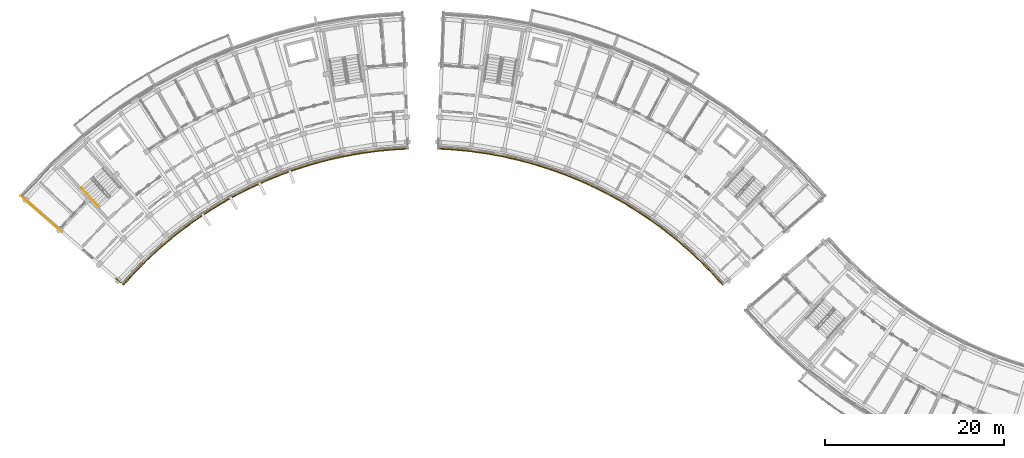
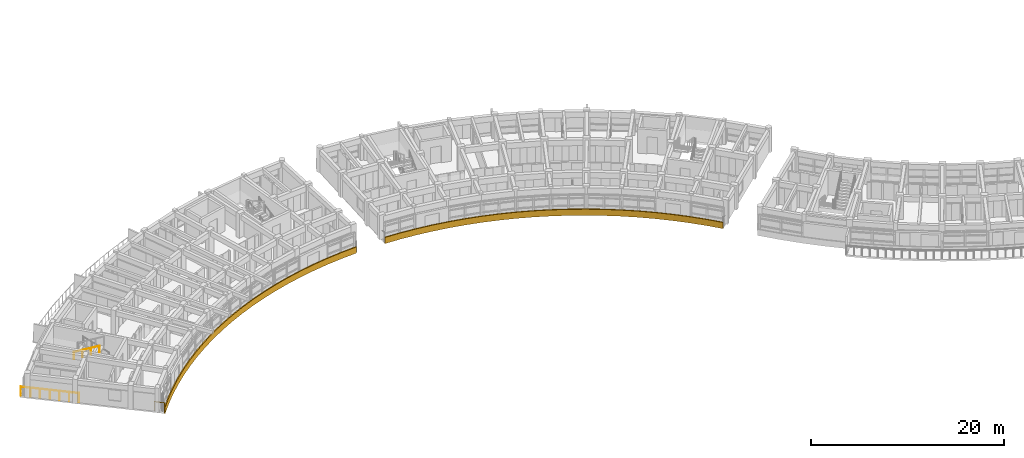
# One storey, part 40 of 50: 5 railings.
"""IFC4 building model written with IfcOpenShell, lengths in metres."""

import ifcopenshell
import ifcopenshell.guid

model = None  # the IFC model being written
_history = None  # IfcOwnerHistory: only IFC2X3 demands one
_inside = {}  # id of a spatial element -> (the spatial element, [elements in it])
_under = {}  # id of a project, library or spatial element -> (it, [spatial elements below it])
_declared = {}  # id of a project -> (the project, [libraries it declares])
_typed = {}  # id of a type object -> (the type object, [elements of that type])
_made_of = {}  # id of a material, layer set ... -> (it, [elements and type objects made of it])


def new_model(schema):
    """Start an empty IFC model of exactly this schema.

    Asked for "IFC4X3", IfcOpenShell would pick the latest addendum, in which some entities
    have other attributes; the version numbers below select the first issue.
    IFC2X3 requires an IfcOwnerHistory on every rooted entity: one is made here for all.
    """
    global model, _history
    if schema == "IFC4X3":
        model = ifcopenshell.file(schema_version=(4, 3, 0, 0))
    else:
        model = ifcopenshell.file(schema=schema)
    _inside.clear()
    _under.clear()
    _declared.clear()
    _typed.clear()
    _made_of.clear()
    _history = None
    if model.schema == "IFC2X3":
        org = make("IfcOrganization", Name="unknown")
        user = make(
            "IfcPersonAndOrganization",
            ThePerson=make("IfcPerson", FamilyName="unknown"),
            TheOrganization=org,
        )
        app = make(
            "IfcApplication",
            ApplicationDeveloper=org,
            Version="unknown",
            ApplicationFullName="unknown",
            ApplicationIdentifier="unknown",
        )
        _history = make(
            "IfcOwnerHistory",
            OwningUser=user,
            OwningApplication=app,
            ChangeAction="ADDED",
            CreationDate=0,
        )
    return model


def make(cls, **values):
    """One entity of the class cls with the attributes given. An attribute that is None is left unset."""
    return model.create_entity(
        cls, **{name: value for name, value in values.items() if value is not None}
    )


def rooted(cls, **values):
    """An entity with a GlobalId (a new one), such as an element, a storey or a relation."""
    return make(cls, GlobalId=ifcopenshell.guid.new(), OwnerHistory=_history, **values)


def si_unit(unit_type, name, prefix=None):
    """IfcSIUnit, for example si_unit("LENGTHUNIT", "METRE", prefix="MILLI")."""
    return make("IfcSIUnit", UnitType=unit_type, Prefix=prefix, Name=name)


def assignment(units):
    """IfcUnitAssignment: the units of a project."""
    return None if units is None else make("IfcUnitAssignment", Units=units)


def point(xyz):
    """IfcCartesianPoint."""
    return None if xyz is None else make("IfcCartesianPoint", Coordinates=xyz)


def direction(xyz):
    """IfcDirection."""
    return None if xyz is None else make("IfcDirection", DirectionRatios=xyz)


def frame(location, z_axis=None, x_axis=None):
    """IfcAxis2Placement3D, a coordinate frame: its origin and axes. An axis left out is left unset."""
    return make(
        "IfcAxis2Placement3D",
        Location=point(location),
        Axis=direction(z_axis),
        RefDirection=direction(x_axis),
    )


def frame_2d(location, x_axis=None):
    """IfcAxis2Placement2D, a coordinate frame in the plane: its origin and x axis."""
    return make(
        "IfcAxis2Placement2D", Location=point(location), RefDirection=direction(x_axis)
    )


def origin():
    """The frame at (0, 0, 0) with its axes left unset."""
    return frame((0.0, 0.0, 0.0))


def origin_2d():
    """The frame at (0, 0) in the plane with its x axis left unset."""
    return frame_2d((0.0, 0.0))


def place(relative_to, where):
    """IfcLocalPlacement: puts the frame where relative to a parent placement (None: the world)."""
    return make(
        "IfcLocalPlacement", PlacementRelTo=relative_to, RelativePlacement=where
    )


def context(
    kind, dimensions, precision=None, world=None, true_north=None, identifier=None
):
    """IfcGeometricRepresentationContext, for example the 3D "Model" context."""
    return make(
        "IfcGeometricRepresentationContext",
        ContextIdentifier=identifier,
        ContextType=kind,
        CoordinateSpaceDimension=dimensions,
        Precision=precision,
        WorldCoordinateSystem=world,
        TrueNorth=true_north,
    )


def subcontext(parent, identifier, kind, view, scale=None):
    """IfcGeometricRepresentationSubContext, for example "Body" below "Model"."""
    return make(
        "IfcGeometricRepresentationSubContext",
        ContextIdentifier=identifier,
        ContextType=kind,
        ParentContext=parent,
        TargetScale=scale,
        TargetView=view,
    )


def project(units=None, contexts=None):
    """IfcProject with its units and contexts."""
    return rooted(
        "IfcProject",
        Name="project",
        RepresentationContexts=contexts,
        UnitsInContext=assignment(units),
    )


def spatial(cls, under=None, at=None, **own):
    """A site, building, storey or space (cls), placed at a placement, below another one or the project."""
    s = rooted(cls, ObjectPlacement=at, **own)
    if under is not None:
        _under.setdefault(under.id(), (under, []))[1].append(s)
    return s


def polyline(points):
    """IfcPolyline through the points."""
    return make("IfcPolyline", Points=[point(p) for p in points])


def profile(cls, at=None, kind="AREA", **sizes):
    """A parametric profile (cls). Its sizes go by their IFC names, for example OverallWidth=200.0."""
    return make(cls, ProfileType=kind, Position=at, **sizes)


def circle(**sizes):
    """IfcCircleProfileDef."""
    return profile("IfcCircleProfileDef", **sizes)


def outline(outer, holes=None, kind="AREA"):
    """IfcArbitraryClosedProfileDef: a profile drawn as a closed curve; with holes, ...WithVoids."""
    if holes is None:
        return make("IfcArbitraryClosedProfileDef", ProfileType=kind, OuterCurve=outer)
    return make(
        "IfcArbitraryProfileDefWithVoids",
        ProfileType=kind,
        OuterCurve=outer,
        InnerCurves=holes,
    )


def extrude(swept, where, along, depth):
    """IfcExtrudedAreaSolid: the profile swept, set in the frame where, extruded along a direction by depth."""
    return make(
        "IfcExtrudedAreaSolid",
        SweptArea=swept,
        Position=where,
        ExtrudedDirection=direction(along),
        Depth=depth,
    )


def shape(context_of_items, identifier, shape_type, items):
    """IfcShapeRepresentation: the items that make up one representation, for example the "Body"."""
    return make(
        "IfcShapeRepresentation",
        ContextOfItems=context_of_items,
        RepresentationIdentifier=identifier,
        RepresentationType=shape_type,
        Items=items,
    )


def material(Name=None, Category=None):
    """IfcMaterial."""
    return make("IfcMaterial", Name=Name, Category=Category)


def made_of(thing, what):
    """Note that an element or type object is made of a material, layer set ...; save() writes the relation."""
    if what is not None:
        _made_of.setdefault(what.id(), (what, []))[1].append(thing)
    return thing


def type_object(cls, material=None, **own):
    """A type object (cls), such as IfcWallType, which elements share."""
    return made_of(rooted(cls, **own), material)


def element(
    cls,
    number,
    at=None,
    inside=None,
    cuts=None,
    type_object=None,
    material=None,
    context=None,
    identifier="Body",
    shape_type=None,
    held_by="IfcProductDefinitionShape",
    body=None,
    shapes=None,
    **own,
):
    """One element of the class cls, such as IfcWall. Its Tag is "e" and its number.

    at: its placement. inside: the storey or other place that contains it. cuts: it is an
    opening in that element (IfcRelVoidsElement). A single representation is given by context,
    identifier, shape_type and body (its items); several are given by shapes. held_by: the class
    of the entity that holds the representations. save() writes the other relations.
    """
    e = rooted(cls, Tag="e%d" % number, ObjectPlacement=at, **own)
    if body is not None:
        shapes = [shape(context, identifier, shape_type, body)]
    if shapes is not None:
        e.Representation = make(held_by, Representations=shapes)
    if inside is not None:
        _inside.setdefault(inside.id(), (inside, []))[1].append(e)
    if cuts is not None:
        rooted(
            "IfcRelVoidsElement", RelatingBuildingElement=cuts, RelatedOpeningElement=e
        )
    if type_object is not None:
        _typed.setdefault(type_object.id(), (type_object, []))[1].append(e)
    return made_of(e, material)


def aggregate(whole, parts):
    """IfcRelAggregates: a whole, such as a stair, and the parts it consists of."""
    return rooted("IfcRelAggregates", RelatingObject=whole, RelatedObjects=parts)


def save(model, path):
    """Write the relations noted so far, then the file.

    IfcRelAggregates (storeys below a building ...), IfcRelContainedInSpatialStructure (elements
    in a storey), IfcRelDefinesByType, IfcRelAssociatesMaterial and IfcRelDeclares: one each for
    every whole, place, type object, material and project.
    """
    for whole, parts in _under.values():
        aggregate(whole, parts)
    for where, things in _inside.values():
        rooted(
            "IfcRelContainedInSpatialStructure",
            RelatedElements=things,
            RelatingStructure=where,
        )
    for kind, things in _typed.values():
        rooted("IfcRelDefinesByType", RelatedObjects=things, RelatingType=kind)
    for what, things in _made_of.values():
        rooted("IfcRelAssociatesMaterial", RelatedObjects=things, RelatingMaterial=what)
    for by, libraries in _declared.values():
        rooted("IfcRelDeclares", RelatingContext=by, RelatedDefinitions=libraries)
    model.write(path)


model = new_model("IFC4")

# Units and contexts
model_context = context("Model", 3, precision=1e-05, world=origin(), true_north=direction((0.0, 1.0)))
body_context = subcontext(model_context, "Body", "Model", "MODEL_VIEW")
ifc_project = project(units=[si_unit("LENGTHUNIT", "METRE"), si_unit("AREAUNIT", "SQUARE_METRE"), si_unit("VOLUMEUNIT", "CUBIC_METRE"), si_unit("PLANEANGLEUNIT", "RADIAN"), si_unit("MASSUNIT", "GRAM", prefix="KILO")], contexts=[model_context])

# Site, building, storey
site_placement = place(None, origin())
site = spatial("IfcSite", under=ifc_project, at=site_placement, CompositionType="ELEMENT")
building_placement = place(site_placement, origin())
building = spatial("IfcBuilding", under=site, at=building_placement, Name="Zimvara Arc Housing Community", CompositionType="ELEMENT")
storey_placement = place(building_placement, frame((0.0, 0.0, 26.699951171875)))
storey = spatial("IfcBuildingStorey", under=building, at=storey_placement, Name="L08", CompositionType="ELEMENT", Elevation=26.699951171875)

# Railings
ifc_material_1 = material(Name="Anodised Aluminium AW-6063", Category="aluminium")
railing_type_1 = type_object("IfcRailingType", Name="RLG-BAL-1150", PredefinedType="BALUSTRADE", material=ifc_material_1)
railing_1_placement = place(storey_placement, frame((11.490966796875, 73.62890625, 0.0)))
element("IfcRailing", 1, at=railing_1_placement, inside=storey, type_object=railing_type_1, Name="rlg:blkA:L08:gable_in:g0", PredefinedType="BALUSTRADE", context=body_context, shape_type="SweptSolid", body=[
    extrude(circle(Radius=0.02392578125, at=origin_2d()), frame((0.0, 0.0, 1.1259765625), z_axis=(-0.754659042762, 0.656117161167, 0.0), x_axis=(-0.656117161167, -0.754659042762, 0.0)), (0.0, 0.0, 1.0), 1.080322265625),
    extrude(circle(Radius=0.02099609375, at=origin_2d()), origin(), (0.0, 0.0, 1.0), 1.101806640625),
    extrude(circle(Radius=0.02099609375, at=origin_2d()), frame((-0.815185546875, 0.708740234375, 0.0)), (0.0, 0.0, 1.0), 1.101806640625),
])
railing_2_placement = place(storey_placement, frame((4.668212890625, 79.559814453125, 0.0)))
element("IfcRailing", 2, at=railing_2_placement, inside=storey, type_object=railing_type_1, Name="rlg:blkA:L08:gable_out:g0", PredefinedType="BALUSTRADE", context=body_context, shape_type="SweptSolid", body=[
    extrude(circle(Radius=0.02392578125, at=origin_2d()), frame((0.0, 0.0, 1.1259765625), z_axis=(-0.754708757217, 0.656059975749, 0.0), x_axis=(-0.656059975749, -0.754708757217, 0.0)), (0.0, 0.0, 1.0), 6.159912109375),
    extrude(circle(Radius=0.02099609375, at=origin_2d()), origin(), (0.0, 0.0, 1.0), 1.101806640625),
    extrude(circle(Radius=0.02099609375, at=origin_2d()), frame((-0.77490234375, 0.673583984375, 0.0)), (0.0, 0.0, 1.0), 1.101806640625),
    extrude(circle(Radius=0.02099609375, at=origin_2d()), frame((-1.549560546875, 1.34716796875, 0.0)), (0.0, 0.0, 1.0), 1.101806640625),
    extrude(circle(Radius=0.02099609375, at=origin_2d()), frame((-2.324462890625, 2.0205078125, 0.0)), (0.0, 0.0, 1.0), 1.101806640625),
    extrude(circle(Radius=0.02099609375, at=origin_2d()), frame((-3.099365234375, 2.694091796875, 0.0)), (0.0, 0.0, 1.0), 1.101806640625),
    extrude(circle(Radius=0.02099609375, at=origin_2d()), frame((-3.8740234375, 3.36767578125, 0.0)), (0.0, 0.0, 1.0), 1.101806640625),
    extrude(circle(Radius=0.02099609375, at=origin_2d()), frame((-4.64892578125, 4.041259765625, 0.0)), (0.0, 0.0, 1.0), 1.101806640625),
])
ifc_material_2 = material(Name="Pale-Gold Anodised Aluminium AW-6063", Category="aluminium")
railing_type_2 = type_object("IfcRailingType", Name="RLG-FAS-780", PredefinedType="BALUSTRADE", material=ifc_material_2)
railing_3_placement = place(storey_placement, frame((0.0, 0.0, -0.219970703125)))
element("IfcRailing", 3, at=railing_3_placement, inside=storey, type_object=railing_type_2, Name="rlg:blkA:L08:gold_in", PredefinedType="BALUSTRADE", context=body_context, shape_type="SweptSolid", body=[
    extrude(outline(polyline([(11.55126953125, 73.576416015625), (12.766357421875, 74.91796875), (14.03515625, 76.208740234375), (15.355712890625, 77.446533203125), (16.7255859375, 78.62939453125), (18.142578125, 79.75537109375), (19.6044921875, 80.822509765625), (21.108642578125, 81.8291015625), (22.652587890625, 82.7734375), (24.234130859375, 83.654052734375), (25.849853515625, 84.46923828125), (27.497802734375, 85.2177734375), (29.1748046875, 85.8984375), (30.87841796875, 86.510009765625), (32.60546875, 87.051513671875), (34.35302734375, 87.522216796875), (36.11865234375, 87.9208984375), (37.898681640625, 88.247314453125), (39.69091796875, 88.5009765625), (41.491943359375, 88.680908203125), (43.298583984375, 88.787353515625), (43.2939453125, 88.9072265625), (41.482421875, 88.800537109375), (39.676513671875, 88.6201171875), (37.879638671875, 88.365966796875), (36.094482421875, 88.03857421875), (34.32421875, 87.638671875), (32.57177734375, 87.166748046875), (30.840087890625, 86.623779296875), (29.132080078125, 86.010498046875), (27.450439453125, 85.328125), (25.798095703125, 84.577392578125), (24.177734375, 83.760009765625), (22.59228515625, 82.877197265625), (21.0439453125, 81.93017578125), (19.53564453125, 80.9208984375), (18.06982421875, 79.850830078125), (16.64892578125, 78.721923828125), (15.275390625, 77.53564453125), (13.951416015625, 76.29443359375), (12.678955078125, 75.000244140625), (11.460693359375, 73.6552734375), (11.55126953125, 73.576416015625)])), origin(), (0.0, 0.0, 1.0), 0.780029296875),
])
railing_4_placement = place(storey_placement, frame((0.0, 0.0, -0.219970703125)))
element("IfcRailing", 4, at=railing_4_placement, inside=storey, type_object=railing_type_2, Name="rlg:blkB:L08:gold_in", PredefinedType="BALUSTRADE", context=body_context, shape_type="SweptSolid", body=[
    extrude(outline(polyline([(46.701416015625, 88.787353515625), (48.508056640625, 88.680908203125), (50.30908203125, 88.5009765625), (52.101318359375, 88.247314453125), (53.88134765625, 87.9208984375), (55.64697265625, 87.522216796875), (57.39453125, 87.051513671875), (59.12158203125, 86.510009765625), (60.8251953125, 85.8984375), (62.502197265625, 85.2177734375), (64.150146484375, 84.46923828125), (65.765869140625, 83.654052734375), (67.347412109375, 82.7734375), (68.891357421875, 81.8291015625), (70.3955078125, 80.822509765625), (71.857421875, 79.75537109375), (73.2744140625, 78.62939453125), (74.644287109375, 77.446533203125), (75.96484375, 76.208740234375), (77.233642578125, 74.91796875), (78.44873046875, 73.576416015625), (78.539306640625, 73.6552734375), (77.321044921875, 75.000244140625), (76.048583984375, 76.29443359375), (74.724609375, 77.53564453125), (73.35107421875, 78.721923828125), (71.93017578125, 79.850830078125), (70.46435546875, 80.9208984375), (68.9560546875, 81.93017578125), (67.40771484375, 82.877197265625), (65.822265625, 83.760009765625), (64.201904296875, 84.577392578125), (62.549560546875, 85.328125), (60.867919921875, 86.010498046875), (59.159912109375, 86.623779296875), (57.42822265625, 87.166748046875), (55.67578125, 87.638671875), (53.905517578125, 88.03857421875), (52.120361328125, 88.365966796875), (50.323486328125, 88.6201171875), (48.517578125, 88.800537109375), (46.7060546875, 88.9072265625), (46.701416015625, 88.787353515625)])), origin(), (0.0, 0.0, 1.0), 0.780029296875),
])
ifc_material_3 = material(Name="Anodised Aluminium AW-6063", Category="aluminium")
railing_type_3 = type_object("IfcRailingType", Name="RLG-HND-900", PredefinedType="HANDRAIL", material=ifc_material_3)
railing_5_placement = place(storey_placement, frame((6.890869140625, 84.476806640625, 1.705078125)))
element("IfcRailing", 5, at=railing_5_placement, inside=storey, type_object=railing_type_3, Name="L08 ST-A1 stair handrail 2", PredefinedType="HANDRAIL", context=body_context, shape_type="SweptSolid", body=[
    extrude(circle(Radius=0.02392578125, at=origin_2d()), frame((0.0, 0.0, 0.8759765625), z_axis=(0.599067985855, -0.665717608404, 0.444901802856), x_axis=(0.743337374551, 0.668916697052, 0.0)), (0.0, 0.0, 1.0), 3.135498046875),
    extrude(circle(Radius=0.02099609375, at=origin_2d()), origin(), (0.0, 0.0, 1.0), 0.851806640625),
    extrude(circle(Radius=0.02099609375, at=origin_2d()), frame((0.626220703125, -0.69580078125, 0.465087890625)), (0.0, 0.0, 1.0), 0.851806640625),
    extrude(circle(Radius=0.02099609375, at=origin_2d()), frame((1.252197265625, -1.3916015625, 0.929931640625)), (0.0, 0.0, 1.0), 0.851806640625),
    extrude(circle(Radius=0.02099609375, at=origin_2d()), frame((1.87841796875, -2.08740234375, 1.39501953125)), (0.0, 0.0, 1.0), 0.851806640625),
])

save(model, "model.ifc")
